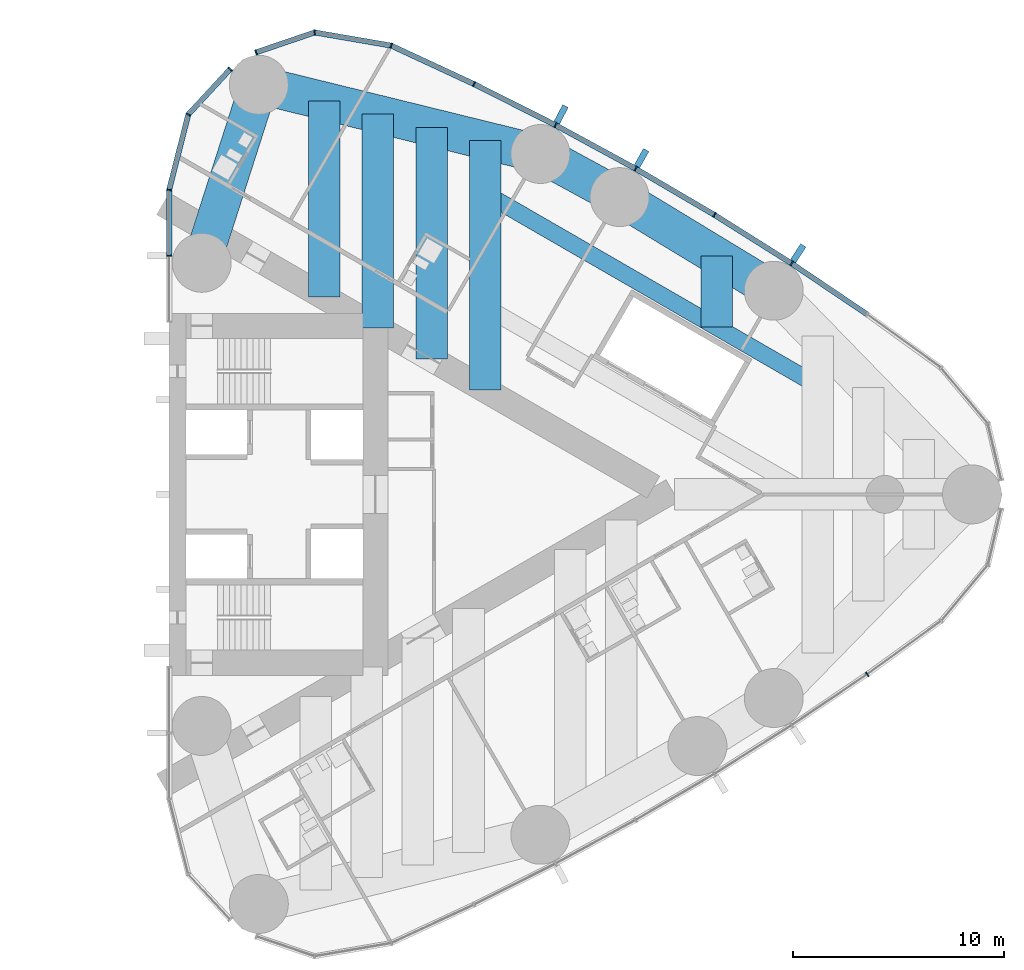
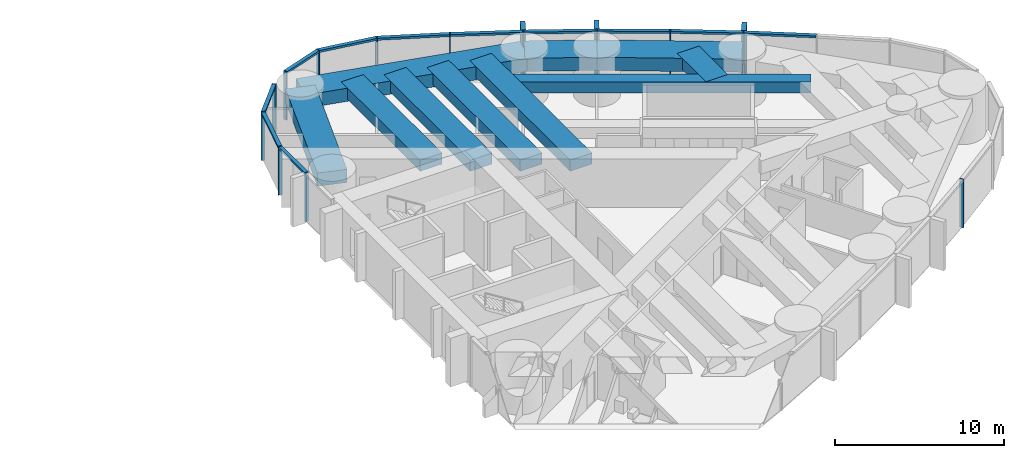
# One storey, part 8 of 19: 27 members, 10 beams, 3 elements without a shape of their own.
"""IFC4 building model written with IfcOpenShell, lengths in metres."""

from ifc_helpers import new_model, si_unit, direction, frame, origin, origin_2d, place, context, subcontext, project, spatial, rectangle, hollow_rectangle, extrude, material, material_profile, profile_set, type_object, element, aggregate, save


model = new_model("IFC4")

# Units and contexts
model_context = context("Model", 3, precision=1e-05, world=origin(), true_north=direction((0.0, 1.0)))
body_context = subcontext(model_context, "Body", "Model", "MODEL_VIEW")
ifc_project = project(units=[si_unit("LENGTHUNIT", "METRE"), si_unit("AREAUNIT", "SQUARE_METRE"), si_unit("VOLUMEUNIT", "CUBIC_METRE"), si_unit("PLANEANGLEUNIT", "RADIAN"), si_unit("MASSUNIT", "GRAM", prefix="KILO")], contexts=[model_context])

# Site, building, storey
site_placement = place(None, origin())
site = spatial("IfcSite", under=ifc_project, at=site_placement, CompositionType="ELEMENT")
building_placement = place(site_placement, origin())
building = spatial("IfcBuilding", under=site, at=building_placement, Name="Lancet Gate Hotel", CompositionType="ELEMENT")
storey_placement = place(building_placement, frame((0.0, 0.0, 170.300048828125)))
storey = spatial("IfcBuildingStorey", under=building, at=storey_placement, Name="L45", CompositionType="ELEMENT", Elevation=170.300048828125)

# Curtain wall, member
ifc_material_1 = material(Name="Aluminium curtain wall", Category="aluminium")
curtain_wall_type = type_object("IfcCurtainWallType", Name="Tower unitised curtain wall", PredefinedType="USERDEFINED", material=ifc_material_1)
curtain_wall_1_placement = place(storey_placement, origin())
curtain_wall_1 = element("IfcCurtainWall", 1, at=curtain_wall_1_placement, inside=storey, type_object=curtain_wall_type, Name="T2 L45 curtain wall 2", ObjectType="UNITISED CURTAIN WALL", PredefinedType="USERDEFINED")
ifc_material_2 = material(Name="Aluminium mullion", Category="aluminium")
ifc_material_profile_1 = material_profile(ifc_material_2, rectangle(XDim=0.06494140625, YDim=0.25, at=origin_2d()), Name="MULLION 65x250")
ifc_profile_set_1 = profile_set([ifc_material_profile_1], Name="Aluminium mullion")
member_type_1 = type_object("IfcMemberType", Name="Aluminium mullion 65x250", PredefinedType="MULLION", material=ifc_profile_set_1)
member_1_placement = place(storey_placement, frame((60.66015625, -8.547607421875, 0.0), z_axis=(0.0, 0.0, 1.0), x_axis=(0.820068208435, 0.572265789222, 0.0)))
member_1 = element("IfcMember", 2, at=member_1_placement, type_object=member_type_1, Name="T2 L45 curtain wall 2 mullion 9", PredefinedType="MULLION", context=body_context, shape_type="SweptSolid", body=[
    extrude(rectangle(XDim=0.06494140625, YDim=0.25, at=origin_2d()), origin(), (0.0, 0.0, 1.0), 3.5),
])
aggregate(curtain_wall_1, [member_1])

# Curtain wall, members
curtain_wall_2_placement = place(storey_placement, origin())
curtain_wall_2 = element("IfcCurtainWall", 3, at=curtain_wall_2_placement, inside=storey, type_object=curtain_wall_type, Name="T2 L45 curtain wall 3", ObjectType="UNITISED CURTAIN WALL", PredefinedType="USERDEFINED")
member_2_placement = place(storey_placement, frame((57.067138671875, 10.970947265625, 0.0), z_axis=(0.0, 0.0, 1.0), x_axis=(-0.837800943278, 0.545975804815, 0.0)))
member_2 = element("IfcMember", 4, at=member_2_placement, type_object=member_type_1, Name="T2 L45 curtain wall 3 mullion 5", PredefinedType="MULLION", context=body_context, shape_type="SweptSolid", body=[
    extrude(rectangle(XDim=0.06494140625, YDim=0.25, at=origin_2d()), origin(), (0.0, 0.0, 1.0), 3.5),
])
member_3_placement = place(storey_placement, frame((53.39892578125, 13.279541015625, 0.0), z_axis=(0.0, 0.0, 1.0), x_axis=(-0.854691174453, 0.519136779965, 0.0)))
member_3 = element("IfcMember", 5, at=member_3_placement, type_object=member_type_1, Name="T2 L45 curtain wall 3 mullion 6", PredefinedType="MULLION", context=body_context, shape_type="SweptSolid", body=[
    extrude(rectangle(XDim=0.06494140625, YDim=0.25, at=origin_2d()), origin(), (0.0, 0.0, 1.0), 3.5),
])
member_4_placement = place(storey_placement, frame((49.65966796875, 15.47021484375, 0.0), z_axis=(0.0, 0.0, 1.0), x_axis=(-0.870721916932, 0.491775704336, 0.0)))
member_4 = element("IfcMember", 6, at=member_4_placement, type_object=member_type_1, Name="T2 L45 curtain wall 3 mullion 7", PredefinedType="MULLION", context=body_context, shape_type="SweptSolid", body=[
    extrude(rectangle(XDim=0.06494140625, YDim=0.25, at=origin_2d()), origin(), (0.0, 0.0, 1.0), 3.5),
])
member_5_placement = place(storey_placement, frame((45.8525390625, 17.54150390625, 0.0), z_axis=(0.0, 0.0, 1.0), x_axis=(-0.885877049989, 0.463920092584, 0.0)))
member_5 = element("IfcMember", 7, at=member_5_placement, type_object=member_type_1, Name="T2 L45 curtain wall 3 mullion 8", PredefinedType="MULLION", context=body_context, shape_type="SweptSolid", body=[
    extrude(rectangle(XDim=0.06494140625, YDim=0.25, at=origin_2d()), origin(), (0.0, 0.0, 1.0), 3.5),
])
member_6_placement = place(storey_placement, frame((41.98193359375, 19.490966796875, 0.0), z_axis=(0.0, 0.0, 1.0), x_axis=(-0.900141333422, 0.435597956681, 0.0)))
member_6 = element("IfcMember", 8, at=member_6_placement, type_object=member_type_1, Name="T2 L45 curtain wall 3 mullion 9", PredefinedType="MULLION", context=body_context, shape_type="SweptSolid", body=[
    extrude(rectangle(XDim=0.06494140625, YDim=0.25, at=origin_2d()), origin(), (0.0, 0.0, 1.0), 3.5),
])
member_7_placement = place(storey_placement, frame((38.05126953125, 21.31689453125, 0.0), z_axis=(0.0, 0.0, 1.0), x_axis=(-0.951355493327, 0.308095318555, 0.0)))
member_7 = element("IfcMember", 9, at=member_7_placement, type_object=member_type_1, Name="T2 L45 curtain wall 3 mullion 10", PredefinedType="MULLION", context=body_context, shape_type="SweptSolid", body=[
    extrude(rectangle(XDim=0.06494140625, YDim=0.25, at=origin_2d()), origin(), (0.0, 0.0, 1.0), 3.5),
])
member_8_placement = place(storey_placement, frame((34.412109375, 21.9423828125, 0.0), z_axis=(0.0, 0.0, 1.0), x_axis=(-0.99877556888, -0.049470829879, 0.0)))
member_8 = element("IfcMember", 10, at=member_8_placement, type_object=member_type_1, Name="T2 L45 curtain wall 3 mullion 11", PredefinedType="MULLION", context=body_context, shape_type="SweptSolid", body=[
    extrude(rectangle(XDim=0.06494140625, YDim=0.25, at=origin_2d()), origin(), (0.0, 0.0, 1.0), 3.5),
])
member_9_placement = place(storey_placement, frame((31.631591796875, 20.998779296875, 0.0), z_axis=(0.0, 0.0, 1.0), x_axis=(-0.946952368511, -0.321373943827, 0.0)))
member_9 = element("IfcMember", 11, at=member_9_placement, type_object=member_type_1, Name="T2 L45 curtain wall 3 mullion 12", PredefinedType="MULLION", context=body_context, shape_type="SweptSolid", body=[
    extrude(rectangle(XDim=0.06494140625, YDim=0.25, at=origin_2d()), origin(), (0.0, 0.0, 1.0), 3.5),
])

curtain_wall_3_placement = place(storey_placement, origin())
curtain_wall_3 = element("IfcCurtainWall", 12, at=curtain_wall_3_placement, inside=storey, type_object=curtain_wall_type, Name="T2 L45 curtain wall 4", ObjectType="UNITISED CURTAIN WALL", PredefinedType="USERDEFINED")
member_10_placement = place(storey_placement, frame((30.40185546875, 20.199951171875, 0.0), z_axis=(0.0, 0.0, 1.0), x_axis=(-0.67883123083, -0.734294327943, 0.0)))
member_10 = element("IfcMember", 13, at=member_10_placement, type_object=member_type_1, Name="T2 L45 curtain wall 4 mullion 1", PredefinedType="MULLION", context=body_context, shape_type="SweptSolid", body=[
    extrude(rectangle(XDim=0.06494140625, YDim=0.25, at=origin_2d()), origin(), (0.0, 0.0, 1.0), 3.5),
])
member_11_placement = place(storey_placement, frame((28.408935546875, 18.04443359375, 0.0), z_axis=(0.0, 0.0, 1.0), x_axis=(-0.451505925065, -0.892268120932, 0.0)))
member_11 = element("IfcMember", 14, at=member_11_placement, type_object=member_type_1, Name="T2 L45 curtain wall 4 mullion 2", PredefinedType="MULLION", context=body_context, shape_type="SweptSolid", body=[
    extrude(rectangle(XDim=0.06494140625, YDim=0.25, at=origin_2d()), origin(), (0.0, 0.0, 1.0), 3.5),
])
member_12_placement = place(storey_placement, frame((27.5, 14.465576171875, 0.0), z_axis=(0.0, 0.0, 1.0), x_axis=(-0.134206524909, -0.990953383703, 0.0)))
member_12 = element("IfcMember", 15, at=member_12_placement, type_object=member_type_1, Name="T2 L45 curtain wall 4 mullion 3", PredefinedType="MULLION", context=body_context, shape_type="SweptSolid", body=[
    extrude(rectangle(XDim=0.06494140625, YDim=0.25, at=origin_2d()), origin(), (0.0, 0.0, 1.0), 3.5),
])
member_13_placement = place(storey_placement, frame((27.5, 11.332763671875, 0.0), z_axis=(0.0, 0.0, 1.0), x_axis=(0.0, -1.0, 0.0)))
member_13 = element("IfcMember", 16, at=member_13_placement, type_object=member_type_1, Name="T2 L45 curtain wall 4 mullion 4", PredefinedType="MULLION", context=body_context, shape_type="SweptSolid", body=[
    extrude(rectangle(XDim=0.06494140625, YDim=0.25, at=origin_2d()), origin(), (0.0, 0.0, 1.0), 3.5),
])

# Member
ifc_material_3 = material(Name="Aluminium transom", Category="aluminium")
ifc_material_profile_2 = material_profile(ifc_material_3, rectangle(XDim=0.25, YDim=0.14990234375, at=origin_2d()), Name="TRANSOM 250x150")
ifc_profile_set_2 = profile_set([ifc_material_profile_2], Name="Aluminium transom")
member_type_2 = type_object("IfcMemberType", Name="Aluminium transom 250x150", PredefinedType="USERDEFINED", material=ifc_profile_set_2)
member_14_placement = place(storey_placement, frame((60.63330078125, 8.565673828125, 3.425048828125), z_axis=(-0.829046850689, 0.559179147826, 0.0), x_axis=(-0.559179147826, -0.829046850689, 0.0)))
member_14 = element("IfcMember", 17, at=member_14_placement, type_object=member_type_2, Name="T2 L45 curtain wall 3 transom 4", ObjectType="TRANSOM", PredefinedType="USERDEFINED", context=body_context, shape_type="SweptSolid", body=[
    extrude(rectangle(XDim=0.25, YDim=0.14990234375, at=origin_2d()), origin(), (0.0, 0.0, 1.0), 4.26904296875),
])

member_15_placement = place(storey_placement, frame((57.03955078125, 10.98828125, 3.425048828125), z_axis=(-0.846333101657, 0.532653997488, 0.0), x_axis=(-0.532653997488, -0.846333101657, 0.0)))
member_15 = element("IfcMember", 18, at=member_15_placement, type_object=member_type_2, Name="T2 L45 curtain wall 3 transom 5", ObjectType="TRANSOM", PredefinedType="USERDEFINED", context=body_context, shape_type="SweptSolid", body=[
    extrude(rectangle(XDim=0.25, YDim=0.14990234375, at=origin_2d()), origin(), (0.0, 0.0, 1.0), 4.26904296875),
])

member_16_placement = place(storey_placement, frame((53.37109375, 13.2958984375, 3.425048828125), z_axis=(-0.862825279032, 0.505502262966, 0.0), x_axis=(-0.505502262966, -0.862825279032, 0.0)))
member_16 = element("IfcMember", 19, at=member_16_placement, type_object=member_type_2, Name="T2 L45 curtain wall 3 transom 6", ObjectType="TRANSOM", PredefinedType="USERDEFINED", context=body_context, shape_type="SweptSolid", body=[
    extrude(rectangle(XDim=0.25, YDim=0.14990234375, at=origin_2d()), origin(), (0.0, 0.0, 1.0), 4.26904296875),
])

member_17_placement = place(storey_placement, frame((49.631103515625, 15.48583984375, 3.425048828125), z_axis=(-0.878404302735, 0.477918278513, 0.0), x_axis=(-0.477918278513, -0.878404302735, 0.0)))
member_17 = element("IfcMember", 20, at=member_17_placement, type_object=member_type_2, Name="T2 L45 curtain wall 3 transom 7", ObjectType="TRANSOM", PredefinedType="USERDEFINED", context=body_context, shape_type="SweptSolid", body=[
    extrude(rectangle(XDim=0.25, YDim=0.14990234375, at=origin_2d()), origin(), (0.0, 0.0, 1.0), 4.26904296875),
])

member_18_placement = place(storey_placement, frame((45.82373046875, 17.55615234375, 3.425048828125), z_axis=(-0.893130969207, 0.449796700571, 0.0), x_axis=(-0.449796700571, -0.893130969207, 0.0)))
member_18 = element("IfcMember", 21, at=member_18_placement, type_object=member_type_2, Name="T2 L45 curtain wall 3 transom 8", ObjectType="TRANSOM", PredefinedType="USERDEFINED", context=body_context, shape_type="SweptSolid", body=[
    extrude(rectangle(XDim=0.25, YDim=0.14990234375, at=origin_2d()), origin(), (0.0, 0.0, 1.0), 4.26904296875),
])

member_19_placement = place(storey_placement, frame((41.952392578125, 19.504638671875, 3.425048828125), z_axis=(-0.906913768492, 0.421316290357, 0.0), x_axis=(-0.421316290357, -0.906913768492, 0.0)))
member_19 = element("IfcMember", 22, at=member_19_placement, type_object=member_type_2, Name="T2 L45 curtain wall 3 transom 9", ObjectType="TRANSOM", PredefinedType="USERDEFINED", context=body_context, shape_type="SweptSolid", body=[
    extrude(rectangle(XDim=0.25, YDim=0.14990234375, at=origin_2d()), origin(), (0.0, 0.0, 1.0), 4.26904296875),
])

member_20_placement = place(storey_placement, frame((38.019287109375, 21.322265625, 3.425048828125), z_axis=(-0.985536950873, 0.169460669373, 0.0), x_axis=(-0.169460669373, -0.985536950873, 0.0)))
member_20 = element("IfcMember", 23, at=member_20_placement, type_object=member_type_2, Name="T2 L45 curtain wall 3 transom 10", ObjectType="TRANSOM", PredefinedType="USERDEFINED", context=body_context, shape_type="SweptSolid", body=[
    extrude(rectangle(XDim=0.25, YDim=0.14990234375, at=origin_2d()), origin(), (0.0, 0.0, 1.0), 3.627685546875),
])

member_21_placement = place(storey_placement, frame((34.38134765625, 21.93212890625, 3.425048828125), z_axis=(-0.946943122832, -0.321401185625, 0.0), x_axis=(0.321401185625, -0.946943122832, 0.0)))
member_21 = element("IfcMember", 24, at=member_21_placement, type_object=member_type_2, Name="T2 L45 curtain wall 3 transom 11", ObjectType="TRANSOM", PredefinedType="USERDEFINED", context=body_context, shape_type="SweptSolid", body=[
    extrude(rectangle(XDim=0.25, YDim=0.14990234375, at=origin_2d()), origin(), (0.0, 0.0, 1.0), 2.871337890625),
])

member_22_placement = place(storey_placement, frame((30.379638671875, 20.17626953125, 3.425048828125), z_axis=(-0.678792146129, -0.734330458549, 0.0), x_axis=(0.734330458549, -0.678792146129, 0.0)))
member_22 = element("IfcMember", 25, at=member_22_placement, type_object=member_type_2, Name="T2 L45 curtain wall 4 transom 1", ObjectType="TRANSOM", PredefinedType="USERDEFINED", context=body_context, shape_type="SweptSolid", body=[
    extrude(rectangle(XDim=0.25, YDim=0.14990234375, at=origin_2d()), origin(), (0.0, 0.0, 1.0), 2.87060546875),
])

member_23_placement = place(storey_placement, frame((28.40087890625, 18.012939453125, 3.425048828125), z_axis=(-0.246128756616, -0.969237140831, 0.0), x_axis=(0.969237140831, -0.246128756616, 0.0)))
member_23 = element("IfcMember", 26, at=member_23_placement, type_object=member_type_2, Name="T2 L45 curtain wall 4 transom 2", ObjectType="TRANSOM", PredefinedType="USERDEFINED", context=body_context, shape_type="SweptSolid", body=[
    extrude(rectangle(XDim=0.25, YDim=0.14990234375, at=origin_2d()), origin(), (0.0, 0.0, 1.0), 3.62744140625),
])

member_24_placement = place(storey_placement, frame((27.5, 14.43310546875, 3.425048828125), z_axis=(0.0, -1.0, 0.0), x_axis=(1.0, 0.0, 0.0)))
member_24 = element("IfcMember", 27, at=member_24_placement, type_object=member_type_2, Name="T2 L45 curtain wall 4 transom 3", ObjectType="TRANSOM", PredefinedType="USERDEFINED", context=body_context, shape_type="SweptSolid", body=[
    extrude(rectangle(XDim=0.25, YDim=0.14990234375, at=origin_2d()), origin(), (0.0, 0.0, 1.0), 3.06787109375),
])

aggregate(curtain_wall_3, [member_10, member_11, member_12, member_13, member_22, member_23, member_24])

# Beams
ifc_material_4 = material(Name="Concrete C50/60", Category="concrete")
ifc_material_profile_3 = material_profile(ifc_material_4, rectangle(XDim=1.800048828125, YDim=0.949951171875, at=origin_2d()), Name="RC 1800x950")
ifc_profile_set_3 = profile_set([ifc_material_profile_3], Name="Concrete C50/60")
beam_type_1 = type_object("IfcBeamType", Name="Edge beam RC 1800x950", PredefinedType="SPANDREL", material=ifc_profile_set_3)
beam_1_placement = place(storey_placement, frame((56.220947265625, 9.67236328125, 2.77490234375), z_axis=(-0.854692251129, 0.519135007353, 0.0), x_axis=(-0.519135007353, -0.854692251129, 0.0)))
element("IfcBeam", 28, at=beam_1_placement, inside=storey, type_object=beam_type_1, Name="T2 edge beam EB1 L45", PredefinedType="SPANDREL", context=body_context, shape_type="SweptSolid", body=[
    extrude(rectangle(XDim=1.800048828125, YDim=0.949951171875, at=origin_2d()), origin(), (0.0, 0.0, 1.0), 8.568603515625),
])
beam_2_placement = place(storey_placement, frame((48.8974609375, 14.12060546875, 2.77490234375), z_axis=(-0.878404597051, 0.477917737566, 0.0), x_axis=(-0.477917737566, -0.878404597051, 0.0)))
element("IfcBeam", 29, at=beam_2_placement, inside=storey, type_object=beam_type_1, Name="T2 edge beam EB1 L45", PredefinedType="SPANDREL", context=body_context, shape_type="SweptSolid", body=[
    extrude(rectangle(XDim=1.800048828125, YDim=0.949951171875, at=origin_2d()), origin(), (0.0, 0.0, 1.0), 4.284912109375),
])
beam_3_placement = place(storey_placement, frame((45.133544921875, 16.16845703125, 2.77490234375), z_axis=(-0.971093253227, 0.238700426344, 0.0), x_axis=(-0.238700426344, -0.971093253227, 0.0)))
element("IfcBeam", 30, at=beam_3_placement, inside=storey, type_object=beam_type_1, Name="T2 edge beam EB1 L45", PredefinedType="SPANDREL", context=body_context, shape_type="SweptSolid", body=[
    extrude(rectangle(XDim=1.800048828125, YDim=0.949951171875, at=origin_2d()), origin(), (0.0, 0.0, 1.0), 13.77197265625),
])
beam_4_placement = place(storey_placement, frame((29.050048828125, 11.0, 2.77490234375), z_axis=(0.305169772986, 0.952297962644, 0.0), x_axis=(-0.952297962644, 0.305169772986, 0.0)))
element("IfcBeam", 31, at=beam_4_placement, inside=storey, type_object=beam_type_1, Name="T2 edge beam EB1 L45", PredefinedType="SPANDREL", context=body_context, shape_type="SweptSolid", body=[
    extrude(rectangle(XDim=1.800048828125, YDim=0.949951171875, at=origin_2d()), origin(), (0.0, 0.0, 1.0), 8.87939453125),
])

# Member
ifc_material_5 = material(Name="Precast concrete C50/60", Category="concrete")
ifc_material_profile_4 = material_profile(ifc_material_5, rectangle(XDim=0.300048828125, YDim=0.89990234375, at=origin_2d()), Name="FIN 300x900")
ifc_profile_set_4 = profile_set([ifc_material_profile_4], Name="Precast concrete C50/60")
member_type_3 = type_object("IfcMemberType", Name="Exposed concrete fin 300x900", PredefinedType="USERDEFINED", material=ifc_profile_set_4)
member_25_placement = place(storey_placement, frame((57.381103515625, 11.452880859375, 0.0), z_axis=(0.0, 0.0, 1.0), x_axis=(-0.837800943278, 0.545975804815, 0.0)))
member_25 = element("IfcMember", 32, at=member_25_placement, type_object=member_type_3, Name="T2 L45 curtain wall 3 fin 5", ObjectType="FIN", PredefinedType="USERDEFINED", context=body_context, shape_type="SweptSolid", body=[
    extrude(rectangle(XDim=0.300048828125, YDim=0.89990234375, at=origin_2d()), origin(), (0.0, 0.0, 1.0), 3.5),
])

member_26_placement = place(storey_placement, frame((49.9423828125, 15.970947265625, 0.0), z_axis=(0.0, 0.0, 1.0), x_axis=(-0.870721916932, 0.491775704336, 0.0)))
member_26 = element("IfcMember", 33, at=member_26_placement, type_object=member_type_3, Name="T2 L45 curtain wall 3 fin 7", ObjectType="FIN", PredefinedType="USERDEFINED", context=body_context, shape_type="SweptSolid", body=[
    extrude(rectangle(XDim=0.300048828125, YDim=0.89990234375, at=origin_2d()), origin(), (0.0, 0.0, 1.0), 3.5),
])

member_27_placement = place(storey_placement, frame((46.119384765625, 18.051025390625, 0.0), z_axis=(0.0, 0.0, 1.0), x_axis=(-0.885877049989, 0.463920092584, 0.0)))
member_27 = element("IfcMember", 34, at=member_27_placement, type_object=member_type_3, Name="T2 L45 curtain wall 3 fin 8", ObjectType="FIN", PredefinedType="USERDEFINED", context=body_context, shape_type="SweptSolid", body=[
    extrude(rectangle(XDim=0.300048828125, YDim=0.89990234375, at=origin_2d()), origin(), (0.0, 0.0, 1.0), 3.5),
])

aggregate(curtain_wall_2, [member_2, member_25, member_3, member_4, member_26, member_5, member_27, member_6, member_7, member_8, member_9, member_14, member_15, member_16, member_17, member_18, member_19, member_20, member_21])

# Beams
ifc_material_6 = material(Name="Concrete C50/60", Category="concrete")
ifc_material_profile_5 = material_profile(ifc_material_6, rectangle(XDim=1.5, YDim=0.800048828125, at=origin_2d()), Name="RC 1500x800")
ifc_profile_set_5 = profile_set([ifc_material_profile_5], Name="Concrete C50/60")
beam_type_2 = type_object("IfcBeamType", Name="Floor beam RC 1500x800", PredefinedType="BEAM", material=ifc_profile_set_5)
beam_5_placement = place(storey_placement, frame((34.859619140625, 9.377685546875, 2.849853515625), z_axis=(0.0, 1.0, 0.0), x_axis=(-1.0, 0.0, 0.0)))
element("IfcBeam", 35, at=beam_5_placement, inside=storey, type_object=beam_type_2, Name="T2 floor beam F02N L45", PredefinedType="BEAM", context=body_context, shape_type="SweptSolid", body=[
    extrude(rectangle(XDim=1.5, YDim=0.800048828125, at=origin_2d()), origin(), (0.0, 0.0, 1.0), 9.316162109375),
])
beam_6_placement = place(storey_placement, frame((37.412841796875, 7.903564453125, 2.849853515625), z_axis=(0.0, 1.0, 0.0), x_axis=(-1.0, 0.0, 0.0)))
element("IfcBeam", 36, at=beam_6_placement, inside=storey, type_object=beam_type_2, Name="T2 floor beam F04N L45", PredefinedType="BEAM", context=body_context, shape_type="SweptSolid", body=[
    extrude(rectangle(XDim=1.5, YDim=0.800048828125, at=origin_2d()), origin(), (0.0, 0.0, 1.0), 10.16259765625),
])
beam_7_placement = place(storey_placement, frame((39.9658203125, 6.429443359375, 2.849853515625), z_axis=(0.0, 1.0, 0.0), x_axis=(-1.0, 0.0, 0.0)))
element("IfcBeam", 37, at=beam_7_placement, inside=storey, type_object=beam_type_2, Name="T2 floor beam F06N L45", PredefinedType="BEAM", context=body_context, shape_type="SweptSolid", body=[
    extrude(rectangle(XDim=1.5, YDim=0.800048828125, at=origin_2d()), origin(), (0.0, 0.0, 1.0), 11.00927734375),
])
beam_8_placement = place(storey_placement, frame((42.51904296875, 4.95556640625, 2.849853515625), z_axis=(0.0, 1.0, 0.0), x_axis=(-1.0, 0.0, 0.0)))
element("IfcBeam", 38, at=beam_8_placement, inside=storey, type_object=beam_type_2, Name="T2 floor beam F08N L45", PredefinedType="BEAM", context=body_context, shape_type="SweptSolid", body=[
    extrude(rectangle(XDim=1.5, YDim=0.800048828125, at=origin_2d()), origin(), (0.0, 0.0, 1.0), 11.85546875),
])
beam_9_placement = place(storey_placement, frame((53.502197265625, 7.94775390625, 2.849853515625), z_axis=(0.0, 1.0, 0.0), x_axis=(-1.0, 0.0, 0.0)))
element("IfcBeam", 39, at=beam_9_placement, inside=storey, type_object=beam_type_2, Name="T2 floor beam F11NB L45", PredefinedType="BEAM", context=body_context, shape_type="SweptSolid", body=[
    extrude(rectangle(XDim=1.5, YDim=0.800048828125, at=origin_2d()), origin(), (0.0, 0.0, 1.0), 3.3759765625),
])
ifc_material_7 = material(Name="Steel S460QL", Category="steel")
ifc_material_profile_6 = material_profile(ifc_material_7, hollow_rectangle(XDim=0.800048828125, YDim=0.800048828125, WallThickness=0.080078125, at=origin_2d()), Name="BOX 800x800x80")
ifc_profile_set_6 = profile_set([ifc_material_profile_6], Name="Steel S460QL")
beam_type_3 = type_object("IfcBeamType", Name="Trimmer beam BOX 800x800x80", PredefinedType="BEAM", material=ifc_profile_set_6)
beam_10_placement = place(storey_placement, frame((42.51904296875, 14.289794921875, 2.849853515625), z_axis=(0.865993732867, -0.500054851626, 0.0), x_axis=(0.500054851626, 0.865993732867, 0.0)))
element("IfcBeam", 40, at=beam_10_placement, inside=storey, type_object=beam_type_3, Name="T2 trimmer beam TR01N L45", PredefinedType="BEAM", context=body_context, shape_type="SweptSolid", body=[
    extrude(hollow_rectangle(XDim=0.800048828125, YDim=0.800048828125, WallThickness=0.080078125, at=origin_2d()), origin(), (0.0, 0.0, 1.0), 18.2255859375),
])

save(model, "model.ifc")
